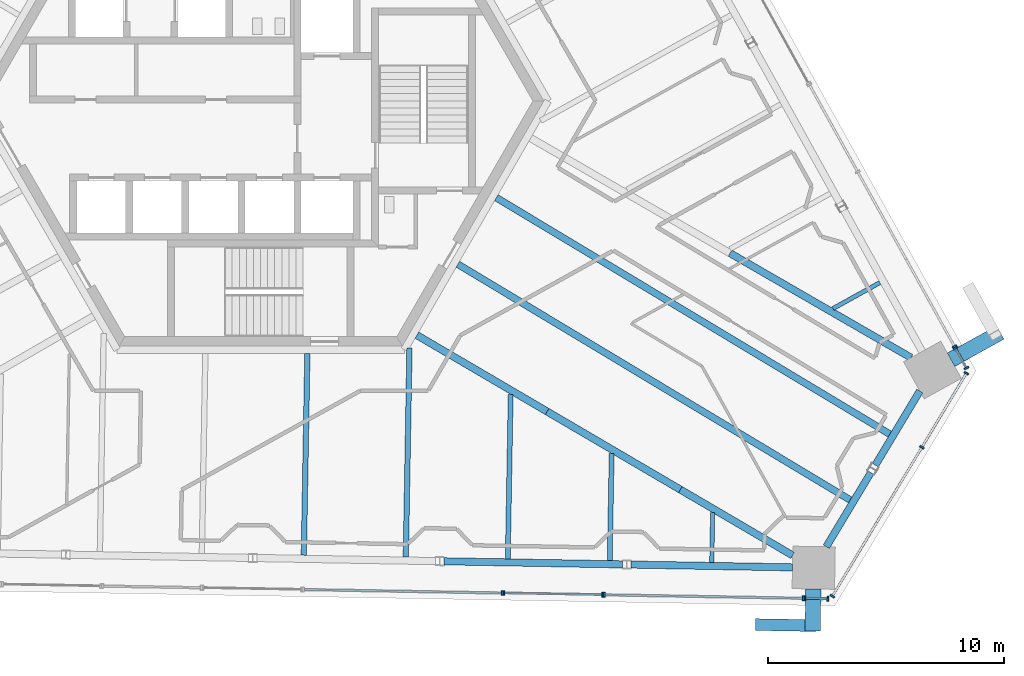
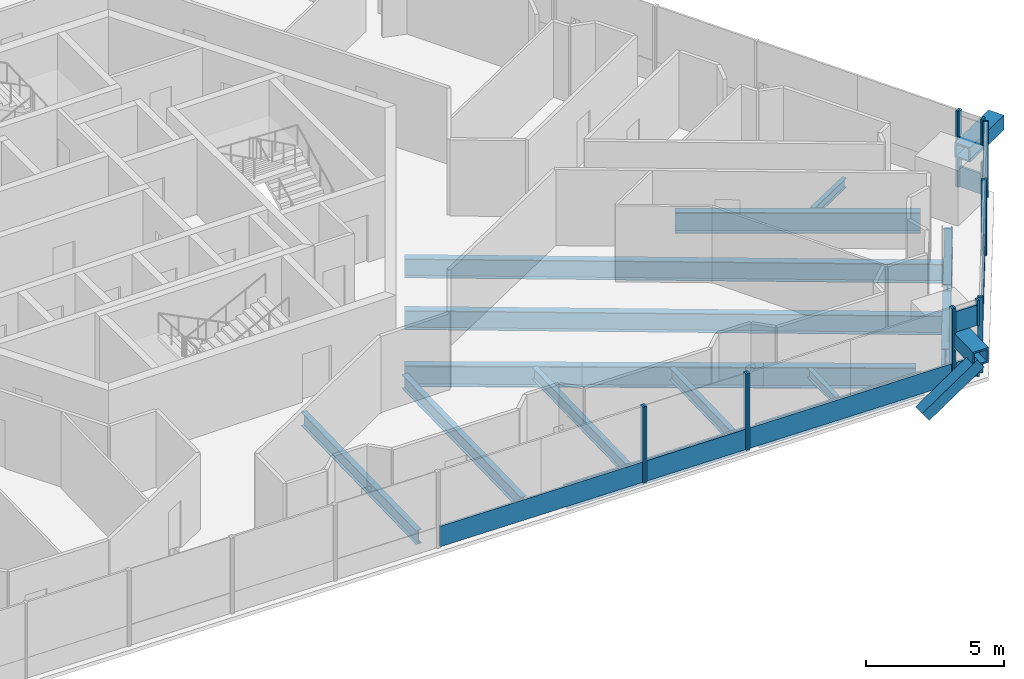
# One storey, part 7 of 24: 28 members, 16 beams, 9 elements without a shape of their own.
"""IFC4 building model written with IfcOpenShell, lengths in metres."""

from ifc_helpers import new_model, si_unit, direction, frame, origin, origin_2d, place, context, subcontext, project, spatial, rectangle, hollow_rectangle, i_section, extrude, source, transform, mapped, material, material_profile, profile_set, type_object, element, aggregate, save


model = new_model("IFC4")

# Units and contexts
model_context = context("Model", 3, precision=1e-05, world=origin(), true_north=direction((0.0, 1.0)))
body_context = subcontext(model_context, "Body", "Model", "MODEL_VIEW")
ifc_project = project(units=[si_unit("LENGTHUNIT", "METRE"), si_unit("AREAUNIT", "SQUARE_METRE"), si_unit("VOLUMEUNIT", "CUBIC_METRE"), si_unit("PLANEANGLEUNIT", "RADIAN"), si_unit("MASSUNIT", "GRAM", prefix="KILO")], contexts=[model_context])

# Site, building, storey
site_placement = place(None, origin())
site = spatial("IfcSite", under=ifc_project, at=site_placement, CompositionType="ELEMENT")
building_placement = place(site_placement, origin())
building = spatial("IfcBuilding", under=site, at=building_placement, Name="Triune Harvest Tower", CompositionType="ELEMENT")
storey_placement = place(building_placement, frame((0.0, 0.0, 212.300048828125)))
storey = spatial("IfcBuildingStorey", under=building, at=storey_placement, Name="L55", CompositionType="ELEMENT", Elevation=212.300048828125)

# Beams
ifc_material_1 = material(Name="Steel ASTM A992 Gr 50", Category="steel")
ifc_material_profile_1 = material_profile(ifc_material_1, i_section(OverallWidth=0.307373046875, OverallDepth=0.922119140625, WebThickness=0.018310546875, FlangeThickness=0.030029296875, at=origin_2d()), Name="W36x182")
ifc_profile_set_1 = profile_set([ifc_material_profile_1], Name="Steel ASTM A992 Gr 50")
beam_type_1 = type_object("IfcBeamType", Name="HG-2 Hip girder W36x182", PredefinedType="BEAM", material=ifc_profile_set_1)
shared_shape_1 = source(origin(), body_context, "Body", "SweptSolid", [
    extrude(i_section(OverallWidth=0.307373046875, OverallDepth=0.922119140625, WebThickness=0.018310546875, FlangeThickness=0.030029296875, at=origin_2d()), origin(), (0.0, 0.0, 1.0), 6.549560546875),
])
beam_1_placement = place(storey_placement, frame((17.789306640625, -16.475341796875, -0.62109375), z_axis=(-0.862742829324, 0.50564296737, 0.0), x_axis=(-0.50564296737, -0.862742829324, 0.0)))
element("IfcBeam", 1, at=beam_1_placement, inside=storey, type_object=beam_type_1, Name="beam/L55/HG9", PredefinedType="BEAM", context=body_context, shape_type="MappedRepresentation", body=[
    mapped(shared_shape_1, transform((0.0, 0.0, 0.0), scale=1.0)),
])
shared_shape_2 = source(origin(), body_context, "Body", "SweptSolid", [
    extrude(i_section(OverallWidth=0.307373046875, OverallDepth=0.922119140625, WebThickness=0.018310546875, FlangeThickness=0.030029296875, at=origin_2d()), origin(), (0.0, 0.0, 1.0), 6.397216796875),
])
beam_2_placement = place(storey_placement, frame((12.138671875, -13.16357421875, -0.62109375), z_axis=(-0.862754230068, 0.505623514583, 0.0), x_axis=(-0.505623514583, -0.862754230068, 0.0)))
element("IfcBeam", 2, at=beam_2_placement, inside=storey, type_object=beam_type_1, Name="beam/L55/HG10", PredefinedType="BEAM", context=body_context, shape_type="MappedRepresentation", body=[
    mapped(shared_shape_2, transform((0.0, 0.0, 0.0), scale=1.0)),
])
ifc_material_2 = material(Name="Steel ASTM A992 Gr 50", Category="steel")
ifc_material_profile_2 = material_profile(ifc_material_2, i_section(OverallWidth=0.3046875, OverallDepth=0.914306640625, WebThickness=0.0166015625, FlangeThickness=0.02587890625, at=origin_2d()), Name="W36x160")
ifc_profile_set_2 = profile_set([ifc_material_profile_2], Name="Steel ASTM A992 Gr 50")
beam_type_2 = type_object("IfcBeamType", Name="SB-1 Spandrel beam W36x160", PredefinedType="SPANDREL", material=ifc_profile_set_2)
shared_shape_3 = source(origin(), body_context, "Body", "SweptSolid", [
    extrude(i_section(OverallWidth=0.3046875, OverallDepth=0.914306640625, WebThickness=0.0166015625, FlangeThickness=0.02587890625, at=origin_2d()), origin(), (0.0, 0.0, 1.0), 6.841796875),
])
beam_3_placement = place(storey_placement, frame((15.69921875, -19.65185546875, -0.6171875), z_axis=(0.999847128578, -0.017484835582, 0.0), x_axis=(0.017484835582, 0.999847128578, 0.0)))
element("IfcBeam", 3, at=beam_3_placement, inside=storey, type_object=beam_type_2, Name="beam/L55/SB22", PredefinedType="SPANDREL", context=body_context, shape_type="MappedRepresentation", body=[
    mapped(shared_shape_3, transform((0.0, 0.0, 0.0), scale=1.0)),
])
shared_shape_4 = source(origin(), body_context, "Body", "SweptSolid", [
    extrude(i_section(OverallWidth=0.3046875, OverallDepth=0.914306640625, WebThickness=0.0166015625, FlangeThickness=0.02587890625, at=origin_2d()), origin(), (0.0, 0.0, 1.0), 3.66357421875),
])
beam_4_placement = place(storey_placement, frame((23.97509765625, -18.896240234375, -0.6171875), z_axis=(0.51504443288, 0.857163480416, 0.0), x_axis=(-0.857163480416, 0.51504443288, 0.0)))
element("IfcBeam", 4, at=beam_4_placement, inside=storey, type_object=beam_type_2, Name="beam/L55/SB23", PredefinedType="SPANDREL", context=body_context, shape_type="MappedRepresentation", body=[
    mapped(shared_shape_4, transform((0.0, 0.0, 0.0), scale=1.0)),
])
shared_shape_5 = source(origin(), body_context, "Body", "SweptSolid", [
    extrude(i_section(OverallWidth=0.3046875, OverallDepth=0.914306640625, WebThickness=0.0166015625, FlangeThickness=0.02587890625, at=origin_2d()), origin(), (0.0, 0.0, 1.0), 7.556640625),
])
beam_5_placement = place(storey_placement, frame((7.773193359375, -19.513671875, -0.6171875), z_axis=(0.999847797686, -0.017446531514, 0.0), x_axis=(0.017446531514, 0.999847797686, 0.0)))
element("IfcBeam", 5, at=beam_5_placement, inside=storey, type_object=beam_type_2, Name="beam/L55/SB21", PredefinedType="SPANDREL", context=body_context, shape_type="MappedRepresentation", body=[
    mapped(shared_shape_5, transform((0.0, 0.0, 0.0), scale=1.0)),
])
shared_shape_6 = source(origin(), body_context, "Body", "SweptSolid", [
    extrude(i_section(OverallWidth=0.3046875, OverallDepth=0.914306640625, WebThickness=0.0166015625, FlangeThickness=0.02587890625, at=origin_2d()), origin(), (0.0, 0.0, 1.0), 3.663818359375),
])
beam_6_placement = place(storey_placement, frame((26.052978515625, -15.43798828125, -0.6171875), z_axis=(0.515093391182, 0.857134060903, 0.0), x_axis=(-0.857134060903, 0.515093391182, 0.0)))
element("IfcBeam", 6, at=beam_6_placement, inside=storey, type_object=beam_type_2, Name="beam/L55/SB24", PredefinedType="SPANDREL", context=body_context, shape_type="MappedRepresentation", body=[
    mapped(shared_shape_6, transform((0.0, 0.0, 0.0), scale=1.0)),
])
shared_shape_7 = source(origin(), body_context, "Body", "SweptSolid", [
    extrude(i_section(OverallWidth=0.307373046875, OverallDepth=0.922119140625, WebThickness=0.018310546875, FlangeThickness=0.030029296875, at=origin_2d()), origin(), (0.0, 0.0, 1.0), 8.859619140625),
])
beam_7_placement = place(storey_placement, frame((27.56591796875, -10.8818359375, -0.62109375), z_axis=(-0.866018088107, 0.500012670911, 0.0), x_axis=(-0.500012670911, -0.866018088107, 0.0)))
element("IfcBeam", 7, at=beam_7_placement, inside=storey, type_object=beam_type_1, Name="beam/L55/HG1", PredefinedType="BEAM", context=body_context, shape_type="MappedRepresentation", body=[
    mapped(shared_shape_7, transform((0.0, 0.0, 0.0), scale=1.0)),
])
shared_shape_8 = source(origin(), body_context, "Body", "SweptSolid", [
    extrude(i_section(OverallWidth=0.307373046875, OverallDepth=0.922119140625, WebThickness=0.018310546875, FlangeThickness=0.030029296875, at=origin_2d()), origin(), (0.0, 0.0, 1.0), 5.516845703125),
])
beam_8_placement = place(storey_placement, frame((22.548828125, -19.264892578125, -0.62109375), z_axis=(-0.862738579495, 0.505650218482, 0.0), x_axis=(-0.505650218482, -0.862738579495, 0.0)))
element("IfcBeam", 8, at=beam_8_placement, inside=storey, type_object=beam_type_1, Name="beam/L55/HG8", PredefinedType="BEAM", context=body_context, shape_type="MappedRepresentation", body=[
    mapped(shared_shape_8, transform((0.0, 0.0, 0.0), scale=1.0)),
])
ifc_material_3 = material(Name="Steel ASTM A992 Gr 50", Category="steel")
ifc_material_profile_3 = material_profile(ifc_material_3, i_section(OverallWidth=0.180908203125, OverallDepth=0.41650390625, WebThickness=0.010986328125, FlangeThickness=0.01806640625, at=origin_2d()), Name="W16x57")
ifc_profile_set_3 = profile_set([ifc_material_profile_3], Name="Steel ASTM A992 Gr 50")
beam_type_3 = type_object("IfcBeamType", Name="JT-1 Floor joist W16x57", PredefinedType="JOIST", material=ifc_profile_set_3)
shared_shape_9 = source(origin(), body_context, "Body", "SweptSolid", [
    extrude(i_section(OverallWidth=0.180908203125, OverallDepth=0.41650390625, WebThickness=0.010986328125, FlangeThickness=0.01806640625, at=origin_2d()), origin(), (0.0, 0.0, 1.0), 2.266357421875),
])
beam_9_placement = place(storey_placement, frame((26.24560546875, -7.698974609375, -0.368408203125), z_axis=(-0.874639585413, -0.484773757157, 0.0), x_axis=(0.484773757157, -0.874639585413, 0.0)))
element("IfcBeam", 9, at=beam_9_placement, inside=storey, type_object=beam_type_3, Name="beam/L55/JT1", PredefinedType="JOIST", context=body_context, shape_type="MappedRepresentation", body=[
    mapped(shared_shape_9, transform((0.0, 0.0, 0.0), scale=1.0)),
])
ifc_material_4 = material(Name="Steel ASTM A992 Gr 50", Category="steel")
ifc_material_profile_4 = material_profile(ifc_material_4, i_section(OverallWidth=0.2919921875, OverallDepth=0.8408203125, WebThickness=0.0146484375, FlangeThickness=0.021728515625, at=origin_2d()), Name="W33x130")
ifc_profile_set_4 = profile_set([ifc_material_profile_4], Name="Steel ASTM A992 Gr 50")
beam_type_4 = type_object("IfcBeamType", Name="JT-6 Floor joist W33x130", PredefinedType="JOIST", material=ifc_profile_set_4)
shared_shape_10 = source(origin(), body_context, "Body", "SweptSolid", [
    extrude(i_section(OverallWidth=0.2919921875, OverallDepth=0.8408203125, WebThickness=0.0146484375, FlangeThickness=0.021728515625, at=origin_2d()), origin(), (0.0, 0.0, 1.0), 19.403564453125),
])
beam_10_placement = place(storey_placement, frame((24.98779296875, -16.915283203125, -0.58056640625), z_axis=(-0.857165243619, 0.515041498456, 0.0), x_axis=(-0.515041498456, -0.857165243619, 0.0)))
element("IfcBeam", 10, at=beam_10_placement, inside=storey, type_object=beam_type_4, Name="beam/L55/JT35", PredefinedType="JOIST", context=body_context, shape_type="MappedRepresentation", body=[
    mapped(shared_shape_10, transform((0.0, 0.0, 0.0), scale=1.0)),
])
shared_shape_11 = source(origin(), body_context, "Body", "SweptSolid", [
    extrude(i_section(OverallWidth=0.2919921875, OverallDepth=0.8408203125, WebThickness=0.0146484375, FlangeThickness=0.021728515625, at=origin_2d()), origin(), (0.0, 0.0, 1.0), 19.460205078125),
])
beam_11_placement = place(storey_placement, frame((26.666259765625, -14.12158203125, -0.58056640625), z_axis=(-0.85716841359, 0.515036222749, 0.0), x_axis=(-0.515036222749, -0.85716841359, 0.0)))
element("IfcBeam", 11, at=beam_11_placement, inside=storey, type_object=beam_type_4, Name="beam/L55/JT36", PredefinedType="JOIST", context=body_context, shape_type="MappedRepresentation", body=[
    mapped(shared_shape_11, transform((0.0, 0.0, 0.0), scale=1.0)),
])
ifc_material_5 = material(Name="Steel ASTM A992 Gr 50", Category="steel")
ifc_material_profile_5 = material_profile(ifc_material_5, i_section(OverallWidth=0.22900390625, OverallDepth=0.612060546875, WebThickness=0.011962890625, FlangeThickness=0.01953125, at=origin_2d()), Name="W24x84")
ifc_profile_set_5 = profile_set([ifc_material_profile_5], Name="Steel ASTM A992 Gr 50")
beam_type_5 = type_object("IfcBeamType", Name="JT-3 Floor joist W24x84", PredefinedType="JOIST", material=ifc_profile_set_5)
shared_shape_12 = source(origin(), body_context, "Body", "SweptSolid", [
    extrude(i_section(OverallWidth=0.22900390625, OverallDepth=0.612060546875, WebThickness=0.011962890625, FlangeThickness=0.01953125, at=origin_2d()), origin(), (0.0, 0.0, 1.0), 8.5615234375),
])
beam_12_placement = place(storey_placement, frame((1.826171875, -19.25732421875, -0.466064453125), z_axis=(0.017451638412, 0.999847708562, 0.0), x_axis=(-0.999847708562, 0.017451638412, 0.0)))
element("IfcBeam", 12, at=beam_12_placement, inside=storey, type_object=beam_type_5, Name="beam/L55/JT30", PredefinedType="JOIST", context=body_context, shape_type="MappedRepresentation", body=[
    mapped(shared_shape_12, transform((0.0, 0.0, 0.0), scale=1.0)),
])
shared_shape_13 = source(origin(), body_context, "Body", "SweptSolid", [
    extrude(i_section(OverallWidth=0.180908203125, OverallDepth=0.41650390625, WebThickness=0.010986328125, FlangeThickness=0.01806640625, at=origin_2d()), origin(), (0.0, 0.0, 1.0), 2.104736328125),
])
beam_13_placement = place(storey_placement, frame((19.119384765625, -19.55908203125, -0.368408203125), z_axis=(0.017398758065, 0.999848630152, 0.0), x_axis=(-0.999848630152, 0.017398758065, 0.0)))
element("IfcBeam", 13, at=beam_13_placement, inside=storey, type_object=beam_type_3, Name="beam/L55/JT34", PredefinedType="JOIST", context=body_context, shape_type="MappedRepresentation", body=[
    mapped(shared_shape_13, transform((0.0, 0.0, 0.0), scale=1.0)),
])
shared_shape_14 = source(origin(), body_context, "Body", "SweptSolid", [
    extrude(i_section(OverallWidth=0.22900390625, OverallDepth=0.612060546875, WebThickness=0.011962890625, FlangeThickness=0.01953125, at=origin_2d()), origin(), (0.0, 0.0, 1.0), 8.859130859375),
])
beam_14_placement = place(storey_placement, frame((6.1494140625, -19.3330078125, -0.466064453125), z_axis=(0.017472043805, 0.999847352192, 0.0), x_axis=(-0.999847352192, 0.017472043805, 0.0)))
element("IfcBeam", 14, at=beam_14_placement, inside=storey, type_object=beam_type_5, Name="beam/L55/JT31", PredefinedType="JOIST", context=body_context, shape_type="MappedRepresentation", body=[
    mapped(shared_shape_14, transform((0.0, 0.0, 0.0), scale=1.0)),
])
ifc_material_6 = material(Name="Steel ASTM A992 Gr 50", Category="steel")
ifc_material_profile_6 = material_profile(ifc_material_6, i_section(OverallWidth=0.2099609375, OverallDepth=0.535888671875, WebThickness=0.010986328125, FlangeThickness=0.017333984375, at=origin_2d()), Name="W21x68")
ifc_profile_set_6 = profile_set([ifc_material_profile_6], Name="Steel ASTM A992 Gr 50")
beam_type_6 = type_object("IfcBeamType", Name="JT-2 Floor joist W21x68", PredefinedType="JOIST", material=ifc_profile_set_6)
shared_shape_15 = source(origin(), body_context, "Body", "SweptSolid", [
    extrude(i_section(OverallWidth=0.2099609375, OverallDepth=0.535888671875, WebThickness=0.010986328125, FlangeThickness=0.017333984375, at=origin_2d()), origin(), (0.0, 0.0, 1.0), 6.972412109375),
])
beam_15_placement = place(storey_placement, frame((10.47265625, -19.408203125, -0.427978515625), z_axis=(0.017472380522, 0.999847346308, 0.0), x_axis=(-0.999847346308, 0.017472380522, 0.0)))
element("IfcBeam", 15, at=beam_15_placement, inside=storey, type_object=beam_type_6, Name="beam/L55/JT32", PredefinedType="JOIST", context=body_context, shape_type="MappedRepresentation", body=[
    mapped(shared_shape_15, transform((0.0, 0.0, 0.0), scale=1.0)),
])
shared_shape_16 = source(origin(), body_context, "Body", "SweptSolid", [
    extrude(i_section(OverallWidth=0.2099609375, OverallDepth=0.535888671875, WebThickness=0.010986328125, FlangeThickness=0.017333984375, at=origin_2d()), origin(), (0.0, 0.0, 1.0), 4.5390625),
])
beam_16_placement = place(storey_placement, frame((14.7958984375, -19.48388671875, -0.427978515625), z_axis=(0.017480786476, 0.999847199378, 0.0), x_axis=(-0.999847199378, 0.017480786476, 0.0)))
element("IfcBeam", 16, at=beam_16_placement, inside=storey, type_object=beam_type_6, Name="beam/L55/JT33", PredefinedType="JOIST", context=body_context, shape_type="MappedRepresentation", body=[
    mapped(shared_shape_16, transform((0.0, 0.0, 0.0), scale=1.0)),
])

# Members
ifc_material_7 = material(Name="Steel ASTM A572 Gr 50", Category="steel")
ifc_material_profile_7 = material_profile(ifc_material_7, hollow_rectangle(XDim=0.64990234375, YDim=0.64990234375, WallThickness=0.070068359375, at=origin_2d()), Name="Box 650x650x70")
ifc_profile_set_7 = profile_set([ifc_material_profile_7], Name="Steel ASTM A572 Gr 50")
member_type_1 = type_object("IfcMemberType", Name="BS-1 Brace stub Box 650x650x70", PredefinedType="STRUT", material=ifc_profile_set_7)
shared_shape_17 = source(origin(), body_context, "Body", "SweptSolid", [
    extrude(hollow_rectangle(XDim=0.64990234375, YDim=0.64990234375, WallThickness=0.070068359375, at=origin_2d()), origin(), (0.0, 0.0, 1.0), 1.787109375),
])
member_1_placement = place(storey_placement, frame((23.42431640625, -20.68701171875, 1.849853515625), z_axis=(-0.017486054069, -0.999847107268, 0.0), x_axis=(0.999847107268, -0.017486054069, 0.0)))
element("IfcMember", 17, at=member_1_placement, inside=storey, type_object=member_type_1, Name="brace/B5-F5/stub2", PredefinedType="STRUT", context=body_context, shape_type="MappedRepresentation", body=[
    mapped(shared_shape_17, transform((0.0, 0.0, 0.0), scale=1.0)),
])
ifc_material_8 = material(Name="Steel ASTM A572 Gr 50", Category="steel")
ifc_material_profile_8 = material_profile(ifc_material_8, hollow_rectangle(XDim=0.5, YDim=0.5, WallThickness=0.030029296875, at=origin_2d()), Name="Box 500x500x30")
ifc_profile_set_8 = profile_set([ifc_material_profile_8], Name="Steel ASTM A572 Gr 50")
member_type_2 = type_object("IfcMemberType", Name="BR-3 Brace Box 500x500x30", PredefinedType="BRACE", material=ifc_profile_set_8)
shared_shape_18 = source(origin(), body_context, "Body", "SweptSolid", [
    extrude(hollow_rectangle(XDim=0.5, YDim=0.5, WallThickness=0.030029296875, at=origin_2d()), origin(), (0.0, 0.0, 1.0), 2.77734375),
])
member_2_placement = place(storey_placement, frame((21.11767578125, -22.198974609375, 0.0), z_axis=(0.820751051925, -0.014328201935, 0.571106306561), x_axis=(0.017454767869, 0.999847653935, 0.0)))
element("IfcMember", 18, at=member_2_placement, inside=storey, type_object=member_type_2, Name="brace/B5-F5/d1/10", PredefinedType="BRACE", context=body_context, shape_type="MappedRepresentation", body=[
    mapped(shared_shape_18, transform((0.0, 0.0, 0.0), scale=1.0)),
])
shared_shape_19 = source(origin(), body_context, "Body", "SweptSolid", [
    extrude(hollow_rectangle(XDim=0.64990234375, YDim=0.64990234375, WallThickness=0.070068359375, at=origin_2d()), origin(), (0.0, 0.0, 1.0), 2.38720703125),
])
member_3_placement = place(storey_placement, frame((29.262451171875, -10.970458984375, 1.849853515625), z_axis=(0.87463926495, 0.484774335344, 0.0), x_axis=(-0.484774335344, 0.87463926495, 0.0)))
element("IfcMember", 19, at=member_3_placement, inside=storey, type_object=member_type_1, Name="brace/B5-F1/stub4", PredefinedType="STRUT", context=body_context, shape_type="MappedRepresentation", body=[
    mapped(shared_shape_19, transform((0.0, 0.0, 0.0), scale=1.0)),
])

# Curtain wall, members
ifc_material_9 = material(Name="Aluminium bronze anodised", Category="aluminium")
curtain_wall_type_1 = type_object("IfcCurtainWallType", Name="CW-1 Tower stick curtain wall", PredefinedType="NOTDEFINED", material=ifc_material_9)
curtain_wall_1_placement = place(storey_placement, origin())
curtain_wall_1 = element("IfcCurtainWall", 20, at=curtain_wall_1_placement, inside=storey, type_object=curtain_wall_type_1, Name="CW-1 B5-F1 L55 run 101")
ifc_material_10 = material(Name="Aluminium bronze anodised", Category="aluminium")
ifc_material_profile_9 = material_profile(ifc_material_10, rectangle(XDim=0.199951171875, YDim=0.074951171875, at=origin_2d()), Name="MU-1 mullion 75 x 200")
ifc_profile_set_9 = profile_set([ifc_material_profile_9], Name="Aluminium bronze anodised")
member_type_3 = type_object("IfcMemberType", Name="MU-1 mullion 75 x 200", PredefinedType="MULLION", material=ifc_profile_set_9)
shared_shape_20 = source(origin(), body_context, "Body", "SweptSolid", [
    extrude(rectangle(XDim=0.199951171875, YDim=0.074951171875, at=origin_2d()), origin(), (0.0, 0.0, 1.0), 1.114990234375),
])
member_4_placement = place(storey_placement, frame((29.916748046875, -11.321533203125, 2.23486328125), z_axis=(0.0, 0.0, 1.0), x_axis=(-0.874629982059, -0.484791083337, 0.0)))
member_4 = element("IfcMember", 21, at=member_4_placement, type_object=member_type_3, Name="CW-1 mullion B5-F1 101.1", PredefinedType="MULLION", context=body_context, shape_type="MappedRepresentation", body=[
    mapped(shared_shape_20, transform((0.0, 0.0, 0.0), scale=1.0)),
])
member_5_placement = place(storey_placement, frame((29.44580078125, -10.4716796875, 2.23486328125), z_axis=(0.0, 0.0, 1.0), x_axis=(-0.874629982059, -0.484791083337, 0.0)))
member_5 = element("IfcMember", 22, at=member_5_placement, type_object=member_type_3, Name="CW-1 mullion B5-F1 101.2", PredefinedType="MULLION", context=body_context, shape_type="MappedRepresentation", body=[
    mapped(shared_shape_20, transform((0.0, 0.0, 0.0), scale=1.0)),
])
aggregate(curtain_wall_1, [member_4, member_5])

curtain_wall_2_placement = place(storey_placement, origin())
curtain_wall_2 = element("IfcCurtainWall", 23, at=curtain_wall_2_placement, inside=storey, type_object=curtain_wall_type_1, Name="CW-1 B5-F5 L55 run 401")
member_6_placement = place(storey_placement, frame((23.069580078125, -21.0830078125, 2.23486328125), z_axis=(0.0, 0.0, 1.0), x_axis=(0.017385353313, 0.999848863324, 0.0)))
member_6 = element("IfcMember", 24, at=member_6_placement, type_object=member_type_3, Name="CW-1 mullion B5-F5 401.1", PredefinedType="MULLION", context=body_context, shape_type="MappedRepresentation", body=[
    mapped(shared_shape_20, transform((0.0, 0.0, 0.0), scale=1.0)),
])
member_7_placement = place(storey_placement, frame((24.04150390625, -21.099853515625, 2.23486328125), z_axis=(0.0, 0.0, 1.0), x_axis=(0.017385353313, 0.999848863324, 0.0)))
member_7 = element("IfcMember", 25, at=member_7_placement, type_object=member_type_3, Name="CW-1 mullion B5-F5 401.2", PredefinedType="MULLION", context=body_context, shape_type="MappedRepresentation", body=[
    mapped(shared_shape_20, transform((0.0, 0.0, 0.0), scale=1.0)),
])

# Curtain wall, member
ifc_material_11 = material(Name="Aluminium bronze anodised", Category="aluminium")
curtain_wall_type_2 = type_object("IfcCurtainWallType", Name="CW-7 Tower stick curtain wall with insulated spandrel infill", PredefinedType="NOTDEFINED", material=ifc_material_11)
curtain_wall_3_placement = place(storey_placement, origin())
curtain_wall_3 = element("IfcCurtainWall", 26, at=curtain_wall_3_placement, inside=storey, type_object=curtain_wall_type_2, Name="CW-7 B5-F1 L55 run 1")
ifc_material_12 = material(Name="Aluminium bronze anodised", Category="aluminium")
ifc_material_profile_10 = material_profile(ifc_material_12, rectangle(XDim=0.090087890625, YDim=0.89990234375, at=origin_2d()), Name="TR-1 transom 90 x 900")
ifc_profile_set_10 = profile_set([ifc_material_profile_10], Name="Aluminium bronze anodised")
member_type_4 = type_object("IfcMemberType", Name="TR-1 transom 90 x 900", PredefinedType="USERDEFINED", material=ifc_profile_set_10)
shared_shape_21 = source(origin(), body_context, "Body", "SweptSolid", [
    extrude(rectangle(XDim=0.090087890625, YDim=0.89990234375, at=origin_2d()), origin(), (0.0, 0.0, 1.0), 0.89697265625),
])
member_8_placement = place(storey_placement, frame((29.898681640625, -11.288818359375, 0.449951171875), z_axis=(-0.484810665086, 0.874619127974, 0.0), x_axis=(-0.874619127974, -0.484810665086, 0.0)))
member_8 = element("IfcMember", 27, at=member_8_placement, type_object=member_type_4, Name="CW-7 transom B5-F1 1.1", ObjectType="TRANSOM", PredefinedType="USERDEFINED", context=body_context, shape_type="MappedRepresentation", body=[
    mapped(shared_shape_21, transform((0.0, 0.0, 0.0), scale=1.0)),
])

curtain_wall_4_placement = place(storey_placement, origin())
curtain_wall_4 = element("IfcCurtainWall", 28, at=curtain_wall_4_placement, inside=storey, type_object=curtain_wall_type_2, Name="CW-7 B5-F5 L55 run 301")
member_9_placement = place(storey_placement, frame((23.107177734375, -21.08349609375, 0.449951171875), z_axis=(0.999848228853, -0.017421804151, 0.0), x_axis=(0.017421804151, 0.999848228853, 0.0)))
member_9 = element("IfcMember", 29, at=member_9_placement, type_object=member_type_4, Name="CW-7 transom B5-F5 301.1", ObjectType="TRANSOM", PredefinedType="USERDEFINED", context=body_context, shape_type="MappedRepresentation", body=[
    mapped(shared_shape_21, transform((0.0, 0.0, 0.0), scale=1.0)),
])

# Member
member_10_placement = place(storey_placement, frame((23.107177734375, -21.08349609375, 2.68505859375), z_axis=(0.999848228853, -0.017421804151, 0.0), x_axis=(0.017421804151, 0.999848228853, 0.0)))
member_10 = element("IfcMember", 30, at=member_10_placement, type_object=member_type_4, Name="CW-1 transom B5-F5 401.1", ObjectType="TRANSOM", PredefinedType="USERDEFINED", context=body_context, shape_type="MappedRepresentation", body=[
    mapped(shared_shape_21, transform((0.0, 0.0, 0.0), scale=1.0)),
])

aggregate(curtain_wall_2, [member_6, member_7, member_10])

# Curtain wall, members
curtain_wall_5_placement = place(storey_placement, origin())
curtain_wall_5 = element("IfcCurtainWall", 31, at=curtain_wall_5_placement, inside=storey, type_object=curtain_wall_type_2, Name="CW-7 B5-F6 L55 run 1")
shared_shape_22 = source(origin(), body_context, "Body", "SweptSolid", [
    extrude(rectangle(XDim=0.090087890625, YDim=0.89990234375, at=origin_2d()), origin(), (0.0, 0.0, 1.0), 7.287841796875),
])
member_11_placement = place(storey_placement, frame((24.25390625, -20.960693359375, 0.449951171875), z_axis=(0.515032643637, 0.857170564117, 0.0), x_axis=(-0.857170564117, 0.515032643637, 0.0)))
member_11 = element("IfcMember", 32, at=member_11_placement, type_object=member_type_4, Name="CW-7 transom B5-F6 1.1", ObjectType="TRANSOM", PredefinedType="USERDEFINED", context=body_context, shape_type="MappedRepresentation", body=[
    mapped(shared_shape_22, transform((0.0, 0.0, 0.0), scale=1.0)),
])
shared_shape_23 = source(origin(), body_context, "Body", "SweptSolid", [
    extrude(rectangle(XDim=0.090087890625, YDim=0.89990234375, at=origin_2d()), origin(), (0.0, 0.0, 1.0), 3.587646484375),
])
member_12_placement = place(storey_placement, frame((28.0458984375, -14.649658203125, 0.449951171875), z_axis=(0.515016056834, 0.857180530112, 0.0), x_axis=(-0.857180530112, 0.515016056834, 0.0)))
member_12 = element("IfcMember", 33, at=member_12_placement, type_object=member_type_4, Name="CW-7 transom B5-F6 1.2", ObjectType="TRANSOM", PredefinedType="USERDEFINED", context=body_context, shape_type="MappedRepresentation", body=[
    mapped(shared_shape_23, transform((0.0, 0.0, 0.0), scale=1.0)),
])

# Member
shared_shape_24 = source(origin(), body_context, "Body", "SweptSolid", [
    extrude(rectangle(XDim=0.199951171875, YDim=0.074951171875, at=origin_2d()), origin(), (0.0, 0.0, 1.0), 1.46484375),
])
member_13_placement = place(storey_placement, frame((29.916748046875, -11.321533203125, 0.0), z_axis=(0.0, 0.0, 1.0), x_axis=(-0.874629982059, -0.484791083337, 0.0)))
member_13 = element("IfcMember", 34, at=member_13_placement, type_object=member_type_3, Name="CW-7 mullion B5-F1 1.1", PredefinedType="MULLION", context=body_context, shape_type="MappedRepresentation", body=[
    mapped(shared_shape_24, transform((0.0, 0.0, 0.0), scale=1.0)),
])

member_14_placement = place(storey_placement, frame((29.44580078125, -10.4716796875, 0.0), z_axis=(0.0, 0.0, 1.0), x_axis=(-0.874629982059, -0.484791083337, 0.0)))
member_14 = element("IfcMember", 35, at=member_14_placement, type_object=member_type_3, Name="CW-7 mullion B5-F1 1.2", PredefinedType="MULLION", context=body_context, shape_type="MappedRepresentation", body=[
    mapped(shared_shape_24, transform((0.0, 0.0, 0.0), scale=1.0)),
])

aggregate(curtain_wall_3, [member_13, member_14, member_8])

member_15_placement = place(storey_placement, frame((23.069580078125, -21.0830078125, 0.0), z_axis=(0.0, 0.0, 1.0), x_axis=(0.017385353313, 0.999848863324, 0.0)))
member_15 = element("IfcMember", 36, at=member_15_placement, type_object=member_type_3, Name="CW-7 mullion B5-F5 301.1", PredefinedType="MULLION", context=body_context, shape_type="MappedRepresentation", body=[
    mapped(shared_shape_24, transform((0.0, 0.0, 0.0), scale=1.0)),
])

member_16_placement = place(storey_placement, frame((24.04150390625, -21.099853515625, 0.0), z_axis=(0.0, 0.0, 1.0), x_axis=(0.017385353313, 0.999848863324, 0.0)))
member_16 = element("IfcMember", 37, at=member_16_placement, type_object=member_type_3, Name="CW-7 mullion B5-F5 301.2", PredefinedType="MULLION", context=body_context, shape_type="MappedRepresentation", body=[
    mapped(shared_shape_24, transform((0.0, 0.0, 0.0), scale=1.0)),
])

aggregate(curtain_wall_4, [member_15, member_16, member_9])

# Curtain wall, member
curtain_wall_6_placement = place(storey_placement, origin())
curtain_wall_6 = element("IfcCurtainWall", 38, at=curtain_wall_6_placement, inside=storey, type_object=curtain_wall_type_2, Name="CW-7 B5-F1 L55 run 201")
shared_shape_25 = source(origin(), body_context, "Body", "SweptSolid", [
    extrude(rectangle(XDim=0.199951171875, YDim=0.074951171875, at=origin_2d()), origin(), (0.0, 0.0, 1.0), 3.349853515625),
])
member_17_placement = place(storey_placement, frame((29.409423828125, -10.406005859375, 0.0), z_axis=(0.0, 0.0, 1.0), x_axis=(-0.874620748429, -0.484807741705, 0.0)))
member_17 = element("IfcMember", 39, at=member_17_placement, type_object=member_type_3, Name="CW-7 mullion B5-F1 201.1", PredefinedType="MULLION", context=body_context, shape_type="MappedRepresentation", body=[
    mapped(shared_shape_25, transform((0.0, 0.0, 0.0), scale=1.0)),
])
aggregate(curtain_wall_6, [member_17])

curtain_wall_7_placement = place(storey_placement, origin())
curtain_wall_7 = element("IfcCurtainWall", 40, at=curtain_wall_7_placement, inside=storey, type_object=curtain_wall_type_2, Name="CW-7 B5-F5 L55 run 4201")
member_18_placement = place(storey_placement, frame((10.23486328125, -20.85888671875, 0.0), z_axis=(0.0, 0.0, 1.0), x_axis=(0.017454373979, 0.999847660811, 0.0)))
member_18 = element("IfcMember", 41, at=member_18_placement, type_object=member_type_3, Name="CW-7 mullion B5-F5 4201.3", PredefinedType="MULLION", context=body_context, shape_type="MappedRepresentation", body=[
    mapped(shared_shape_25, transform((0.0, 0.0, 0.0), scale=1.0)),
])

# Curtain wall, members
curtain_wall_8_placement = place(storey_placement, origin())
curtain_wall_8 = element("IfcCurtainWall", 42, at=curtain_wall_8_placement, inside=storey, type_object=curtain_wall_type_1, Name="CW-1 B5-F5 L55 run 5201")
member_19_placement = place(storey_placement, frame((10.309814453125, -20.8603515625, 0.0), z_axis=(0.0, 0.0, 1.0), x_axis=(0.017442623768, 0.999847865866, 0.0)))
member_19 = element("IfcMember", 43, at=member_19_placement, type_object=member_type_3, Name="CW-1 mullion B5-F5 5201.1", PredefinedType="MULLION", context=body_context, shape_type="MappedRepresentation", body=[
    mapped(shared_shape_25, transform((0.0, 0.0, 0.0), scale=1.0)),
])
member_20_placement = place(storey_placement, frame((14.488037109375, -20.93310546875, 0.0), z_axis=(0.0, 0.0, 1.0), x_axis=(0.017442623768, 0.999847865866, 0.0)))
member_20 = element("IfcMember", 44, at=member_20_placement, type_object=member_type_3, Name="CW-1 mullion B5-F5 5201.2", PredefinedType="MULLION", context=body_context, shape_type="MappedRepresentation", body=[
    mapped(shared_shape_25, transform((0.0, 0.0, 0.0), scale=1.0)),
])

curtain_wall_9_placement = place(storey_placement, origin())
curtain_wall_9 = element("IfcCurtainWall", 45, at=curtain_wall_9_placement, inside=storey, type_object=curtain_wall_type_2, Name="CW-7 B5-F5 L55 run 6201")
member_21_placement = place(storey_placement, frame((14.56298828125, -20.9345703125, 0.0), z_axis=(0.0, 0.0, 1.0), x_axis=(0.017454373979, 0.999847660811, 0.0)))
member_21 = element("IfcMember", 46, at=member_21_placement, type_object=member_type_3, Name="CW-7 mullion B5-F5 6201.1", PredefinedType="MULLION", context=body_context, shape_type="MappedRepresentation", body=[
    mapped(shared_shape_25, transform((0.0, 0.0, 0.0), scale=1.0)),
])
member_22_placement = place(storey_placement, frame((22.99462890625, -21.08154296875, 0.0), z_axis=(0.0, 0.0, 1.0), x_axis=(0.017454373979, 0.999847660811, 0.0)))
member_22 = element("IfcMember", 47, at=member_22_placement, type_object=member_type_3, Name="CW-7 mullion B5-F5 6201.3", PredefinedType="MULLION", context=body_context, shape_type="MappedRepresentation", body=[
    mapped(shared_shape_25, transform((0.0, 0.0, 0.0), scale=1.0)),
])

# Member
member_23_placement = place(storey_placement, frame((24.234619140625, -20.992919921875, 0.0), z_axis=(0.0, 0.0, 1.0), x_axis=(-0.857168135313, 0.515036685882, 0.0)))
member_23 = element("IfcMember", 48, at=member_23_placement, type_object=member_type_3, Name="CW-7 mullion B5-F6 1.1", PredefinedType="MULLION", context=body_context, shape_type="MappedRepresentation", body=[
    mapped(shared_shape_25, transform((0.0, 0.0, 0.0), scale=1.0)),
])

member_24_placement = place(storey_placement, frame((28.026611328125, -14.681884765625, 0.0), z_axis=(0.0, 0.0, 1.0), x_axis=(-0.857168135313, 0.515036685882, 0.0)))
member_24 = element("IfcMember", 49, at=member_24_placement, type_object=member_type_3, Name="CW-7 mullion B5-F6 1.3", PredefinedType="MULLION", context=body_context, shape_type="MappedRepresentation", body=[
    mapped(shared_shape_25, transform((0.0, 0.0, 0.0), scale=1.0)),
])

member_25_placement = place(storey_placement, frame((29.912841796875, -11.54248046875, 0.0), z_axis=(0.0, 0.0, 1.0), x_axis=(-0.857168135313, 0.515036685882, 0.0)))
member_25 = element("IfcMember", 50, at=member_25_placement, type_object=member_type_3, Name="CW-7 mullion B5-F6 1.4", PredefinedType="MULLION", context=body_context, shape_type="MappedRepresentation", body=[
    mapped(shared_shape_25, transform((0.0, 0.0, 0.0), scale=1.0)),
])

aggregate(curtain_wall_5, [member_23, member_24, member_25, member_11, member_12])

shared_shape_26 = source(origin(), body_context, "Body", "SweptSolid", [
    extrude(rectangle(XDim=0.090087890625, YDim=0.89990234375, at=origin_2d()), origin(), (0.0, 0.0, 1.0), 8.35791015625),
])
member_26_placement = place(storey_placement, frame((1.840576171875, -20.71240234375, 0.449951171875), z_axis=(0.99984742459, -0.017467900316, 0.0), x_axis=(0.017467900316, 0.99984742459, 0.0)))
member_26 = element("IfcMember", 51, at=member_26_placement, type_object=member_type_4, Name="CW-7 transom B5-F5 4201.1", ObjectType="TRANSOM", PredefinedType="USERDEFINED", context=body_context, shape_type="MappedRepresentation", body=[
    mapped(shared_shape_26, transform((0.0, 0.0, 0.0), scale=1.0)),
])

aggregate(curtain_wall_7, [member_18, member_26])

member_27_placement = place(storey_placement, frame((14.6005859375, -20.93505859375, 0.449951171875), z_axis=(0.99984742459, -0.017467900316, 0.0), x_axis=(0.017467900316, 0.99984742459, 0.0)))
member_27 = element("IfcMember", 52, at=member_27_placement, type_object=member_type_4, Name="CW-7 transom B5-F5 6201.1", ObjectType="TRANSOM", PredefinedType="USERDEFINED", context=body_context, shape_type="MappedRepresentation", body=[
    mapped(shared_shape_26, transform((0.0, 0.0, 0.0), scale=1.0)),
])

aggregate(curtain_wall_9, [member_21, member_22, member_27])

shared_shape_27 = source(origin(), body_context, "Body", "SweptSolid", [
    extrude(rectangle(XDim=0.090087890625, YDim=0.89990234375, at=origin_2d()), origin(), (0.0, 0.0, 1.0), 4.104248046875),
])
member_28_placement = place(storey_placement, frame((10.34716796875, -20.86083984375, 0.449951171875), z_axis=(0.999848094255, -0.017429527107, 0.0), x_axis=(0.017429527107, 0.999848094255, 0.0)))
member_28 = element("IfcMember", 53, at=member_28_placement, type_object=member_type_4, Name="CW-1 transom B5-F5 5201.1", ObjectType="TRANSOM", PredefinedType="USERDEFINED", context=body_context, shape_type="MappedRepresentation", body=[
    mapped(shared_shape_27, transform((0.0, 0.0, 0.0), scale=1.0)),
])

aggregate(curtain_wall_8, [member_19, member_20, member_28])

save(model, "model.ifc")
